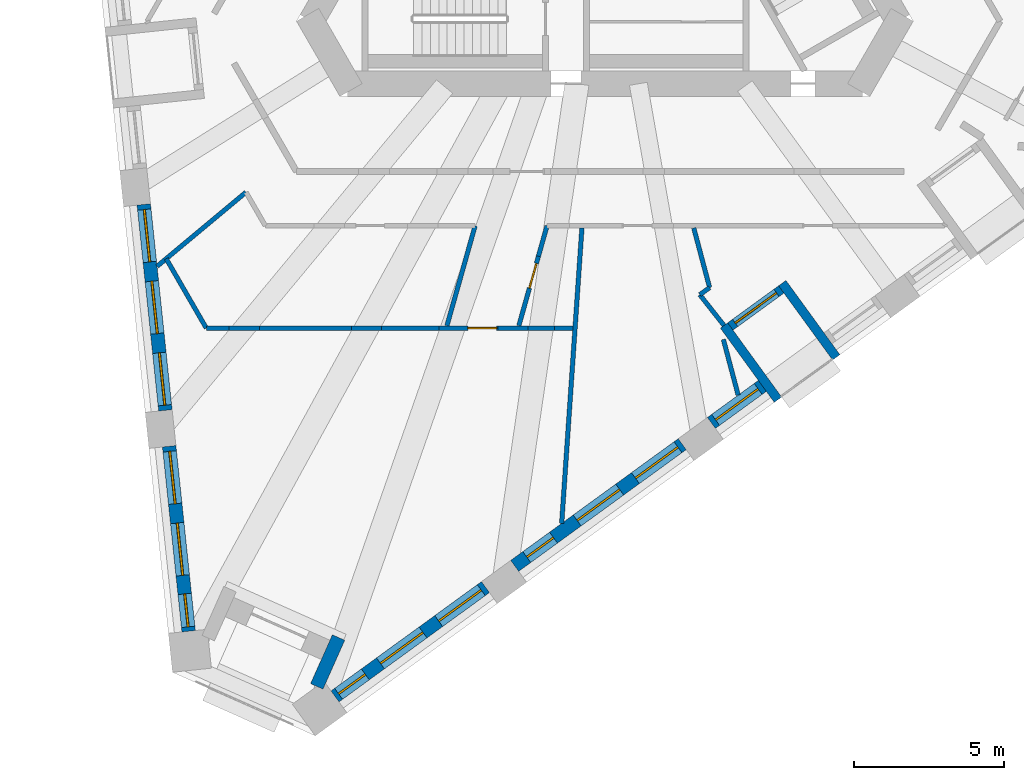
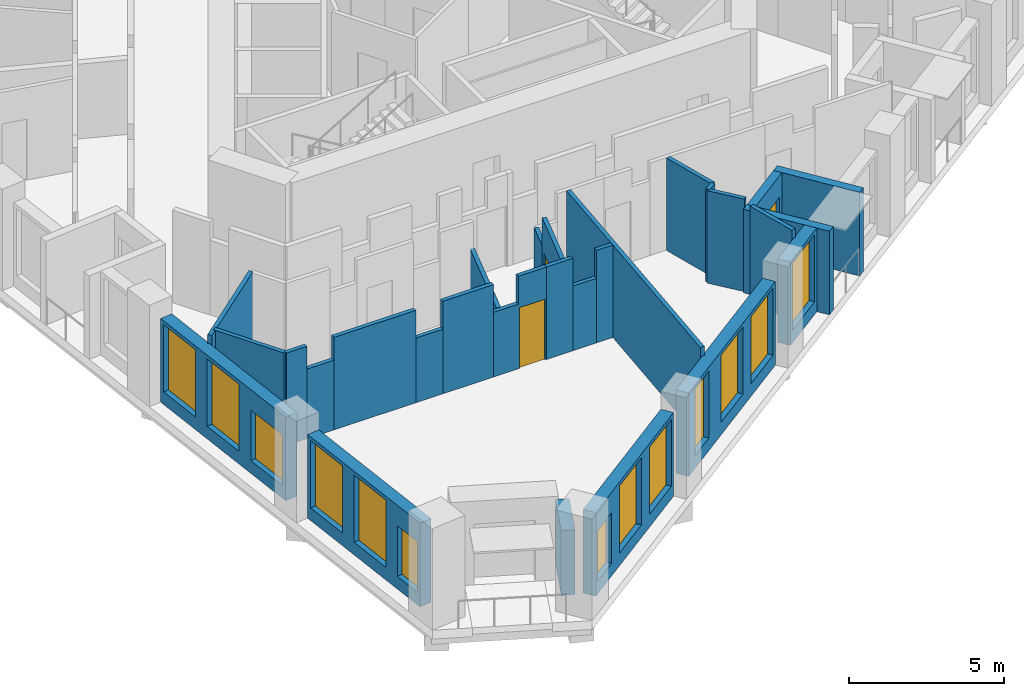
# One storey, part 2 of 14: 28 walls, 13 windows, 3 doors, 16 openings.
"""IFC4 building model written with IfcOpenShell, lengths in metres."""

import ifcopenshell
import ifcopenshell.guid

model = None  # the IFC model being written
_history = None  # IfcOwnerHistory: only IFC2X3 demands one
_inside = {}  # id of a spatial element -> (the spatial element, [elements in it])
_under = {}  # id of a project, library or spatial element -> (it, [spatial elements below it])
_declared = {}  # id of a project -> (the project, [libraries it declares])
_typed = {}  # id of a type object -> (the type object, [elements of that type])
_made_of = {}  # id of a material, layer set ... -> (it, [elements and type objects made of it])


def new_model(schema):
    """Start an empty IFC model of exactly this schema.

    Asked for "IFC4X3", IfcOpenShell would pick the latest addendum, in which some entities
    have other attributes; the version numbers below select the first issue.
    IFC2X3 requires an IfcOwnerHistory on every rooted entity: one is made here for all.
    """
    global model, _history
    if schema == "IFC4X3":
        model = ifcopenshell.file(schema_version=(4, 3, 0, 0))
    else:
        model = ifcopenshell.file(schema=schema)
    _inside.clear()
    _under.clear()
    _declared.clear()
    _typed.clear()
    _made_of.clear()
    _history = None
    if model.schema == "IFC2X3":
        org = make("IfcOrganization", Name="unknown")
        user = make(
            "IfcPersonAndOrganization",
            ThePerson=make("IfcPerson", FamilyName="unknown"),
            TheOrganization=org,
        )
        app = make(
            "IfcApplication",
            ApplicationDeveloper=org,
            Version="unknown",
            ApplicationFullName="unknown",
            ApplicationIdentifier="unknown",
        )
        _history = make(
            "IfcOwnerHistory",
            OwningUser=user,
            OwningApplication=app,
            ChangeAction="ADDED",
            CreationDate=0,
        )
    return model


def make(cls, **values):
    """One entity of the class cls with the attributes given. An attribute that is None is left unset."""
    return model.create_entity(
        cls, **{name: value for name, value in values.items() if value is not None}
    )


def rooted(cls, **values):
    """An entity with a GlobalId (a new one), such as an element, a storey or a relation."""
    return make(cls, GlobalId=ifcopenshell.guid.new(), OwnerHistory=_history, **values)


def si_unit(unit_type, name, prefix=None):
    """IfcSIUnit, for example si_unit("LENGTHUNIT", "METRE", prefix="MILLI")."""
    return make("IfcSIUnit", UnitType=unit_type, Prefix=prefix, Name=name)


def assignment(units):
    """IfcUnitAssignment: the units of a project."""
    return None if units is None else make("IfcUnitAssignment", Units=units)


def point(xyz):
    """IfcCartesianPoint."""
    return None if xyz is None else make("IfcCartesianPoint", Coordinates=xyz)


def direction(xyz):
    """IfcDirection."""
    return None if xyz is None else make("IfcDirection", DirectionRatios=xyz)


def frame(location, z_axis=None, x_axis=None):
    """IfcAxis2Placement3D, a coordinate frame: its origin and axes. An axis left out is left unset."""
    return make(
        "IfcAxis2Placement3D",
        Location=point(location),
        Axis=direction(z_axis),
        RefDirection=direction(x_axis),
    )


def frame_2d(location, x_axis=None):
    """IfcAxis2Placement2D, a coordinate frame in the plane: its origin and x axis."""
    return make(
        "IfcAxis2Placement2D", Location=point(location), RefDirection=direction(x_axis)
    )


def origin():
    """The frame at (0, 0, 0) with its axes left unset."""
    return frame((0.0, 0.0, 0.0))


def place(relative_to, where):
    """IfcLocalPlacement: puts the frame where relative to a parent placement (None: the world)."""
    return make(
        "IfcLocalPlacement", PlacementRelTo=relative_to, RelativePlacement=where
    )


def context(
    kind, dimensions, precision=None, world=None, true_north=None, identifier=None
):
    """IfcGeometricRepresentationContext, for example the 3D "Model" context."""
    return make(
        "IfcGeometricRepresentationContext",
        ContextIdentifier=identifier,
        ContextType=kind,
        CoordinateSpaceDimension=dimensions,
        Precision=precision,
        WorldCoordinateSystem=world,
        TrueNorth=true_north,
    )


def subcontext(parent, identifier, kind, view, scale=None):
    """IfcGeometricRepresentationSubContext, for example "Body" below "Model"."""
    return make(
        "IfcGeometricRepresentationSubContext",
        ContextIdentifier=identifier,
        ContextType=kind,
        ParentContext=parent,
        TargetScale=scale,
        TargetView=view,
    )


def project(units=None, contexts=None):
    """IfcProject with its units and contexts."""
    return rooted(
        "IfcProject",
        Name="project",
        RepresentationContexts=contexts,
        UnitsInContext=assignment(units),
    )


def spatial(cls, under=None, at=None, **own):
    """A site, building, storey or space (cls), placed at a placement, below another one or the project."""
    s = rooted(cls, ObjectPlacement=at, **own)
    if under is not None:
        _under.setdefault(under.id(), (under, []))[1].append(s)
    return s


def polyline(points):
    """IfcPolyline through the points."""
    return make("IfcPolyline", Points=[point(p) for p in points])


def profile(cls, at=None, kind="AREA", **sizes):
    """A parametric profile (cls). Its sizes go by their IFC names, for example OverallWidth=200.0."""
    return make(cls, ProfileType=kind, Position=at, **sizes)


def rectangle(**sizes):
    """IfcRectangleProfileDef."""
    return profile("IfcRectangleProfileDef", **sizes)


def outline(outer, holes=None, kind="AREA"):
    """IfcArbitraryClosedProfileDef: a profile drawn as a closed curve; with holes, ...WithVoids."""
    if holes is None:
        return make("IfcArbitraryClosedProfileDef", ProfileType=kind, OuterCurve=outer)
    return make(
        "IfcArbitraryProfileDefWithVoids",
        ProfileType=kind,
        OuterCurve=outer,
        InnerCurves=holes,
    )


def extrude(swept, where, along, depth):
    """IfcExtrudedAreaSolid: the profile swept, set in the frame where, extruded along a direction by depth."""
    return make(
        "IfcExtrudedAreaSolid",
        SweptArea=swept,
        Position=where,
        ExtrudedDirection=direction(along),
        Depth=depth,
    )


def shape(context_of_items, identifier, shape_type, items):
    """IfcShapeRepresentation: the items that make up one representation, for example the "Body"."""
    return make(
        "IfcShapeRepresentation",
        ContextOfItems=context_of_items,
        RepresentationIdentifier=identifier,
        RepresentationType=shape_type,
        Items=items,
    )


def material(Name=None, Category=None):
    """IfcMaterial."""
    return make("IfcMaterial", Name=Name, Category=Category)


def layer(
    of_material, thickness, ventilated=None, Name=None, Category=None, Priority=None
):
    """IfcMaterialLayer: one layer of a wall or slab, of a material (None: an air gap)."""
    return make(
        "IfcMaterialLayer",
        Material=of_material,
        LayerThickness=thickness,
        IsVentilated=ventilated,
        Name=Name,
        Category=Category,
        Priority=Priority,
    )


def layer_set(layers, Name=None):
    """IfcMaterialLayerSet."""
    return make("IfcMaterialLayerSet", MaterialLayers=layers, LayerSetName=Name)


def made_of(thing, what):
    """Note that an element or type object is made of a material, layer set ...; save() writes the relation."""
    if what is not None:
        _made_of.setdefault(what.id(), (what, []))[1].append(thing)
    return thing


def type_object(cls, material=None, **own):
    """A type object (cls), such as IfcWallType, which elements share."""
    return made_of(rooted(cls, **own), material)


def element(
    cls,
    number,
    at=None,
    inside=None,
    cuts=None,
    type_object=None,
    material=None,
    context=None,
    identifier="Body",
    shape_type=None,
    held_by="IfcProductDefinitionShape",
    body=None,
    shapes=None,
    **own,
):
    """One element of the class cls, such as IfcWall. Its Tag is "e" and its number.

    at: its placement. inside: the storey or other place that contains it. cuts: it is an
    opening in that element (IfcRelVoidsElement). A single representation is given by context,
    identifier, shape_type and body (its items); several are given by shapes. held_by: the class
    of the entity that holds the representations. save() writes the other relations.
    """
    e = rooted(cls, Tag="e%d" % number, ObjectPlacement=at, **own)
    if body is not None:
        shapes = [shape(context, identifier, shape_type, body)]
    if shapes is not None:
        e.Representation = make(held_by, Representations=shapes)
    if inside is not None:
        _inside.setdefault(inside.id(), (inside, []))[1].append(e)
    if cuts is not None:
        rooted(
            "IfcRelVoidsElement", RelatingBuildingElement=cuts, RelatedOpeningElement=e
        )
    if type_object is not None:
        _typed.setdefault(type_object.id(), (type_object, []))[1].append(e)
    return made_of(e, material)


def fill(opening, filler):
    """IfcRelFillsElement: the door or window that sits in an opening."""
    return rooted(
        "IfcRelFillsElement",
        RelatingOpeningElement=opening,
        RelatedBuildingElement=filler,
    )


def aggregate(whole, parts):
    """IfcRelAggregates: a whole, such as a stair, and the parts it consists of."""
    return rooted("IfcRelAggregates", RelatingObject=whole, RelatedObjects=parts)


def save(model, path):
    """Write the relations noted so far, then the file.

    IfcRelAggregates (storeys below a building ...), IfcRelContainedInSpatialStructure (elements
    in a storey), IfcRelDefinesByType, IfcRelAssociatesMaterial and IfcRelDeclares: one each for
    every whole, place, type object, material and project.
    """
    for whole, parts in _under.values():
        aggregate(whole, parts)
    for where, things in _inside.values():
        rooted(
            "IfcRelContainedInSpatialStructure",
            RelatedElements=things,
            RelatingStructure=where,
        )
    for kind, things in _typed.values():
        rooted("IfcRelDefinesByType", RelatedObjects=things, RelatingType=kind)
    for what, things in _made_of.values():
        rooted("IfcRelAssociatesMaterial", RelatedObjects=things, RelatingMaterial=what)
    for by, libraries in _declared.values():
        rooted("IfcRelDeclares", RelatingContext=by, RelatedDefinitions=libraries)
    model.write(path)


model = new_model("IFC4")

# Units and contexts
model_context = context("Model", 3, precision=1e-05, world=origin(), true_north=direction((0.0, 1.0)))
body_context = subcontext(model_context, "Body", "Model", "MODEL_VIEW")
ifc_project = project(units=[si_unit("LENGTHUNIT", "METRE"), si_unit("AREAUNIT", "SQUARE_METRE"), si_unit("VOLUMEUNIT", "CUBIC_METRE"), si_unit("PLANEANGLEUNIT", "RADIAN"), si_unit("MASSUNIT", "GRAM", prefix="KILO")], contexts=[model_context])

# Site, building, storey
site_placement = place(None, origin())
site = spatial("IfcSite", under=ifc_project, at=site_placement, CompositionType="ELEMENT")
building_placement = place(site_placement, origin())
building = spatial("IfcBuilding", under=site, at=building_placement, Name="Tramontana Tower", CompositionType="ELEMENT")
storey_placement = place(building_placement, frame((0.0, 0.0, 190.800048828125)))
storey = spatial("IfcBuildingStorey", under=building, at=storey_placement, Name="L44", CompositionType="ELEMENT", Elevation=190.800048828125)

# Wall, openings, windows
ifc_material_1 = material(Name="Precast concrete 60 MPa", Category="concrete")
ifc_layer_1 = layer(ifc_material_1, 0.449951171875)
ifc_layer_set_1 = layer_set([ifc_layer_1], Name="Precast concrete 60 MPa, 450 mm")
wall_type_1 = type_object("IfcWallType", Name="EW1 Stone-faced precast wall 450", PredefinedType="SOLIDWALL", material=ifc_layer_set_1)
wall_1_placement = place(storey_placement, frame((-15.327880859375, -10.341796875, 0.0), z_axis=(0.0, 0.0, 1.0), x_axis=(0.104531531326, -0.994521572898, 0.0)))
wall_1 = element("IfcWall", 1, at=wall_1_placement, inside=storey, type_object=wall_type_1, Name="External wall L44 face 0 bay 5", PredefinedType="SOLIDWALL", context=body_context, shape_type="SweptSolid", body=[
    extrude(rectangle(XDim=6.8828125, YDim=0.449951171875, at=frame_2d((3.44140625, 0.0))), origin(), (0.0, 0.0, 1.0), 3.300048828125),
])
opening_1_placement = place(wall_1_placement, frame((0.172119140625, 0.0, 0.5)))
opening_1 = element("IfcOpeningElement", 2, at=opening_1_placement, cuts=wall_1, Name="Opening M2", PredefinedType="OPENING", context=body_context, shape_type="SweptSolid", body=[
    extrude(rectangle(XDim=1.75, YDim=2.64990234375, at=frame_2d((0.875, 1.324951171875))), frame((0.0, 0.23486328125, 0.0), z_axis=(0.0, -1.0, 0.0), x_axis=(1.0, 0.0, 0.0)), (0.0, 0.0, 1.0), 0.469970703125),
])
opening_2_placement = place(wall_1_placement, frame((2.56640625, 0.0, 0.5)))
opening_2 = element("IfcOpeningElement", 3, at=opening_2_placement, cuts=wall_1, Name="Opening M2", PredefinedType="OPENING", context=body_context, shape_type="SweptSolid", body=[
    extrude(rectangle(XDim=1.75, YDim=2.64990234375, at=frame_2d((0.875, 1.324951171875))), frame((0.0, 0.23486328125, 0.0), z_axis=(0.0, -1.0, 0.0), x_axis=(1.0, 0.0, 0.0)), (0.0, 0.0, 1.0), 0.469970703125),
])
opening_3_placement = place(wall_1_placement, frame((4.960693359375, 0.0, 0.5)))
opening_3 = element("IfcOpeningElement", 4, at=opening_3_placement, cuts=wall_1, Name="Opening M2L", PredefinedType="OPENING", context=body_context, shape_type="SweptSolid", body=[
    extrude(rectangle(XDim=1.75, YDim=2.0, at=frame_2d((0.875, 1.0))), frame((0.0, 0.23486328125, 0.0), z_axis=(0.0, -1.0, 0.0), x_axis=(1.0, 0.0, 0.0)), (0.0, 0.0, 1.0), 0.469970703125),
])
ifc_material_2 = material(Name="Aluminum frame, double glazing unit", Category="aluminium")
window_type_1 = type_object("IfcWindowType", Name="M2 Window 1.75 x 2.65", PartitioningType="SINGLE_PANEL", PredefinedType="WINDOW", material=ifc_material_2)
window_1_placement = place(opening_1_placement, origin())
window_1 = element("IfcWindow", 5, at=window_1_placement, inside=storey, type_object=window_type_1, Name="Window M2 L44 face 0 module 13", OverallHeight=2.64990234375, OverallWidth=1.75, PartitioningType="SINGLE_PANEL", PredefinedType="WINDOW", context=body_context, shape_type="SweptSolid", body=[
    extrude(rectangle(XDim=1.75, YDim=2.64990234375, at=frame_2d((0.875, 1.324951171875))), frame((0.0, 0.030029296875, 0.0), z_axis=(0.0, -1.0, 0.0), x_axis=(1.0, 0.0, 0.0)), (0.0, 0.0, 1.0), 0.06005859375),
])
fill(opening_1, window_1)
window_2_placement = place(opening_2_placement, origin())
window_2 = element("IfcWindow", 6, at=window_2_placement, inside=storey, type_object=window_type_1, Name="Window M2 L44 face 0 module 14", OverallHeight=2.64990234375, OverallWidth=1.75, PartitioningType="SINGLE_PANEL", PredefinedType="WINDOW", context=body_context, shape_type="SweptSolid", body=[
    extrude(rectangle(XDim=1.75, YDim=2.64990234375, at=frame_2d((0.875, 1.324951171875))), frame((0.0, 0.030029296875, 0.0), z_axis=(0.0, -1.0, 0.0), x_axis=(1.0, 0.0, 0.0)), (0.0, 0.0, 1.0), 0.06005859375),
])
fill(opening_2, window_2)
ifc_material_3 = material(Name="Aluminum frame, double glazing unit", Category="aluminium")
window_type_2 = type_object("IfcWindowType", Name="M2L Window 1.75 x 2", PartitioningType="SINGLE_PANEL", PredefinedType="WINDOW", material=ifc_material_3)
window_3_placement = place(opening_3_placement, origin())
window_3 = element("IfcWindow", 7, at=window_3_placement, inside=storey, type_object=window_type_2, Name="Window M2L L44 face 0 module 15", OverallHeight=2.0, OverallWidth=1.75, PartitioningType="SINGLE_PANEL", PredefinedType="WINDOW", context=body_context, shape_type="SweptSolid", body=[
    extrude(rectangle(XDim=1.75, YDim=2.0, at=frame_2d((0.875, 1.0))), frame((0.0, 0.030029296875, 0.0), z_axis=(0.0, -1.0, 0.0), x_axis=(1.0, 0.0, 0.0)), (0.0, 0.0, 1.0), 0.06005859375),
])
fill(opening_3, window_3)

wall_2_placement = place(storey_placement, frame((-14.483154296875, -18.38037109375, 0.0), z_axis=(0.0, 0.0, 1.0), x_axis=(0.104557348575, -0.994518858976, 0.0)))
wall_2 = element("IfcWall", 8, at=wall_2_placement, inside=storey, type_object=wall_type_1, Name="External wall L44 face 0 bay 6", PredefinedType="SOLIDWALL", context=body_context, shape_type="SweptSolid", body=[
    extrude(rectangle(XDim=6.18310546875, YDim=0.449951171875, at=frame_2d((3.091552734375, 0.0))), origin(), (0.0, 0.0, 1.0), 3.300048828125),
])
opening_4_placement = place(wall_2_placement, frame((0.172119140625, 0.0, 0.5)))
opening_4 = element("IfcOpeningElement", 9, at=opening_4_placement, cuts=wall_2, Name="Opening M2", PredefinedType="OPENING", context=body_context, shape_type="SweptSolid", body=[
    extrude(rectangle(XDim=1.75, YDim=2.64990234375, at=frame_2d((0.875, 1.324951171875))), frame((0.0, 0.23486328125, 0.0), z_axis=(0.0, -1.0, 0.0), x_axis=(1.0, 0.0, 0.0)), (0.0, 0.0, 1.0), 0.469970703125),
])
opening_5_placement = place(wall_2_placement, frame((2.56640625, 0.0, 0.5)))
opening_5 = element("IfcOpeningElement", 10, at=opening_5_placement, cuts=wall_2, Name="Opening M2", PredefinedType="OPENING", context=body_context, shape_type="SweptSolid", body=[
    extrude(rectangle(XDim=1.75, YDim=2.64990234375, at=frame_2d((0.875, 1.324951171875))), frame((0.0, 0.23486328125, 0.0), z_axis=(0.0, -1.0, 0.0), x_axis=(1.0, 0.0, 0.0)), (0.0, 0.0, 1.0), 0.469970703125),
])
opening_6_placement = place(wall_2_placement, frame((4.935791015625, 0.0, 0.5)))
opening_6 = element("IfcOpeningElement", 11, at=opening_6_placement, cuts=wall_2, Name="Opening N2L", PredefinedType="OPENING", context=body_context, shape_type="SweptSolid", body=[
    extrude(rectangle(XDim=1.10009765625, YDim=2.0, at=frame_2d((0.550048828125, 1.0))), frame((0.0, 0.23486328125, 0.0), z_axis=(0.0, -1.0, 0.0), x_axis=(1.0, 0.0, 0.0)), (0.0, 0.0, 1.0), 0.469970703125),
])
window_4_placement = place(opening_4_placement, origin())
window_4 = element("IfcWindow", 12, at=window_4_placement, inside=storey, type_object=window_type_1, Name="Window M2 L44 face 0 module 16", OverallHeight=2.64990234375, OverallWidth=1.75, PartitioningType="SINGLE_PANEL", PredefinedType="WINDOW", context=body_context, shape_type="SweptSolid", body=[
    extrude(rectangle(XDim=1.75, YDim=2.64990234375, at=frame_2d((0.875, 1.324951171875))), frame((0.0, 0.030029296875, 0.0), z_axis=(0.0, -1.0, 0.0), x_axis=(1.0, 0.0, 0.0)), (0.0, 0.0, 1.0), 0.06005859375),
])
fill(opening_4, window_4)
window_5_placement = place(opening_5_placement, origin())
window_5 = element("IfcWindow", 13, at=window_5_placement, inside=storey, type_object=window_type_1, Name="Window M2 L44 face 0 module 17", OverallHeight=2.64990234375, OverallWidth=1.75, PartitioningType="SINGLE_PANEL", PredefinedType="WINDOW", context=body_context, shape_type="SweptSolid", body=[
    extrude(rectangle(XDim=1.75, YDim=2.64990234375, at=frame_2d((0.875, 1.324951171875))), frame((0.0, 0.030029296875, 0.0), z_axis=(0.0, -1.0, 0.0), x_axis=(1.0, 0.0, 0.0)), (0.0, 0.0, 1.0), 0.06005859375),
])
fill(opening_5, window_5)
ifc_material_4 = material(Name="Aluminum frame, double glazing unit", Category="aluminium")
window_type_3 = type_object("IfcWindowType", Name="N2L Window 1.1 x 2", PartitioningType="SINGLE_PANEL", PredefinedType="WINDOW", material=ifc_material_4)
window_6_placement = place(opening_6_placement, origin())
window_6 = element("IfcWindow", 14, at=window_6_placement, inside=storey, type_object=window_type_3, Name="Window N2L L44 face 0 module 18", OverallHeight=2.0, OverallWidth=1.10009765625, PartitioningType="SINGLE_PANEL", PredefinedType="WINDOW", context=body_context, shape_type="SweptSolid", body=[
    extrude(rectangle(XDim=1.10009765625, YDim=2.0, at=frame_2d((0.550048828125, 1.0))), frame((0.0, 0.030029296875, 0.0), z_axis=(0.0, -1.0, 0.0), x_axis=(1.0, 0.0, 0.0)), (0.0, 0.0, 1.0), 0.06005859375),
])
fill(opening_6, window_6)

wall_3_placement = place(storey_placement, frame((-8.97021484375, -26.696044921875, 0.0), z_axis=(0.0, 0.0, 1.0), x_axis=(0.809024567544, 0.587774828578, 0.0)))
wall_3 = element("IfcWall", 15, at=wall_3_placement, inside=storey, type_object=wall_type_1, Name="External wall L44 face 1 bay 1", PredefinedType="SOLIDWALL", context=body_context, shape_type="SweptSolid", body=[
    extrude(rectangle(XDim=6.1826171875, YDim=0.449951171875, at=frame_2d((3.09130859375, 0.0))), origin(), (0.0, 0.0, 1.0), 3.300048828125),
])
opening_7_placement = place(wall_3_placement, frame((0.147216796875, 0.0, 0.5)))
opening_7 = element("IfcOpeningElement", 16, at=opening_7_placement, cuts=wall_3, Name="Opening N2L", PredefinedType="OPENING", context=body_context, shape_type="SweptSolid", body=[
    extrude(rectangle(XDim=1.10009765625, YDim=2.0, at=frame_2d((0.550048828125, 1.0))), frame((0.0, 0.23486328125, 0.0), z_axis=(0.0, -1.0, 0.0), x_axis=(1.0, 0.0, 0.0)), (0.0, 0.0, 1.0), 0.469970703125),
])
opening_8_placement = place(wall_3_placement, frame((1.866455078125, 0.0, 0.5)))
opening_8 = element("IfcOpeningElement", 17, at=opening_8_placement, cuts=wall_3, Name="Opening M2", PredefinedType="OPENING", context=body_context, shape_type="SweptSolid", body=[
    extrude(rectangle(XDim=1.75, YDim=2.64990234375, at=frame_2d((0.875, 1.324951171875))), frame((0.0, 0.23486328125, 0.0), z_axis=(0.0, -1.0, 0.0), x_axis=(1.0, 0.0, 0.0)), (0.0, 0.0, 1.0), 0.469970703125),
])
opening_9_placement = place(wall_3_placement, frame((4.2607421875, 0.0, 0.5)))
opening_9 = element("IfcOpeningElement", 18, at=opening_9_placement, cuts=wall_3, Name="Opening M2", PredefinedType="OPENING", context=body_context, shape_type="SweptSolid", body=[
    extrude(rectangle(XDim=1.75, YDim=2.64990234375, at=frame_2d((0.875, 1.324951171875))), frame((0.0, 0.23486328125, 0.0), z_axis=(0.0, -1.0, 0.0), x_axis=(1.0, 0.0, 0.0)), (0.0, 0.0, 1.0), 0.469970703125),
])
window_7_placement = place(opening_8_placement, origin())
window_7 = element("IfcWindow", 19, at=window_7_placement, inside=storey, type_object=window_type_1, Name="Window M2 L44 face 1 module 2", OverallHeight=2.64990234375, OverallWidth=1.75, PartitioningType="SINGLE_PANEL", PredefinedType="WINDOW", context=body_context, shape_type="SweptSolid", body=[
    extrude(rectangle(XDim=1.75, YDim=2.64990234375, at=frame_2d((0.875, 1.324951171875))), frame((0.0, 0.030029296875, 0.0), z_axis=(0.0, -1.0, 0.0), x_axis=(1.0, 0.0, 0.0)), (0.0, 0.0, 1.0), 0.06005859375),
])
fill(opening_8, window_7)
window_8_placement = place(opening_9_placement, origin())
window_8 = element("IfcWindow", 20, at=window_8_placement, inside=storey, type_object=window_type_1, Name="Window M2 L44 face 1 module 3", OverallHeight=2.64990234375, OverallWidth=1.75, PartitioningType="SINGLE_PANEL", PredefinedType="WINDOW", context=body_context, shape_type="SweptSolid", body=[
    extrude(rectangle(XDim=1.75, YDim=2.64990234375, at=frame_2d((0.875, 1.324951171875))), frame((0.0, 0.030029296875, 0.0), z_axis=(0.0, -1.0, 0.0), x_axis=(1.0, 0.0, 0.0)), (0.0, 0.0, 1.0), 0.06005859375),
])
fill(opening_9, window_8)
window_9_placement = place(opening_7_placement, origin())
window_9 = element("IfcWindow", 21, at=window_9_placement, inside=storey, type_object=window_type_3, Name="Window N2L L44 face 1 module 1", OverallHeight=2.0, OverallWidth=1.10009765625, PartitioningType="SINGLE_PANEL", PredefinedType="WINDOW", context=body_context, shape_type="SweptSolid", body=[
    extrude(rectangle(XDim=1.10009765625, YDim=2.0, at=frame_2d((0.550048828125, 1.0))), frame((0.0, 0.030029296875, 0.0), z_axis=(0.0, -1.0, 0.0), x_axis=(1.0, 0.0, 0.0)), (0.0, 0.0, 1.0), 0.06005859375),
])
fill(opening_7, window_9)

wall_4_placement = place(storey_placement, frame((-2.997314453125, -22.3564453125, 0.0), z_axis=(0.0, 0.0, 1.0), x_axis=(0.809016690404, 0.587785670672, 0.0)))
wall_4 = element("IfcWall", 22, at=wall_4_placement, inside=storey, type_object=wall_type_1, Name="External wall L44 face 1 bay 2", PredefinedType="SOLIDWALL", context=body_context, shape_type="SweptSolid", body=[
    extrude(rectangle(XDim=6.8828125, YDim=0.449951171875, at=frame_2d((3.44140625, 0.0))), origin(), (0.0, 0.0, 1.0), 3.300048828125),
])
opening_10_placement = place(wall_4_placement, frame((0.4970703125, 0.0, 0.5)))
opening_10 = element("IfcOpeningElement", 23, at=opening_10_placement, cuts=wall_4, Name="Opening N2", PredefinedType="OPENING", context=body_context, shape_type="SweptSolid", body=[
    extrude(rectangle(XDim=1.10009765625, YDim=2.64990234375, at=frame_2d((0.550048828125, 1.324951171875))), frame((0.0, 0.23486328125, 0.0), z_axis=(0.0, -1.0, 0.0), x_axis=(1.0, 0.0, 0.0)), (0.0, 0.0, 1.0), 0.469970703125),
])
opening_11_placement = place(wall_4_placement, frame((2.56640625, 0.0, 0.5)))
opening_11 = element("IfcOpeningElement", 24, at=opening_11_placement, cuts=wall_4, Name="Opening M2", PredefinedType="OPENING", context=body_context, shape_type="SweptSolid", body=[
    extrude(rectangle(XDim=1.75, YDim=2.64990234375, at=frame_2d((0.875, 1.324951171875))), frame((0.0, 0.23486328125, 0.0), z_axis=(0.0, -1.0, 0.0), x_axis=(1.0, 0.0, 0.0)), (0.0, 0.0, 1.0), 0.469970703125),
])
opening_12_placement = place(wall_4_placement, frame((4.960693359375, 0.0, 0.5)))
opening_12 = element("IfcOpeningElement", 25, at=opening_12_placement, cuts=wall_4, Name="Opening M2", PredefinedType="OPENING", context=body_context, shape_type="SweptSolid", body=[
    extrude(rectangle(XDim=1.75, YDim=2.64990234375, at=frame_2d((0.875, 1.324951171875))), frame((0.0, 0.23486328125, 0.0), z_axis=(0.0, -1.0, 0.0), x_axis=(1.0, 0.0, 0.0)), (0.0, 0.0, 1.0), 0.469970703125),
])
window_10_placement = place(opening_11_placement, origin())
window_10 = element("IfcWindow", 26, at=window_10_placement, inside=storey, type_object=window_type_1, Name="Window M2 L44 face 1 module 5", OverallHeight=2.64990234375, OverallWidth=1.75, PartitioningType="SINGLE_PANEL", PredefinedType="WINDOW", context=body_context, shape_type="SweptSolid", body=[
    extrude(rectangle(XDim=1.75, YDim=2.64990234375, at=frame_2d((0.875, 1.324951171875))), frame((0.0, 0.030029296875, 0.0), z_axis=(0.0, -1.0, 0.0), x_axis=(1.0, 0.0, 0.0)), (0.0, 0.0, 1.0), 0.06005859375),
])
fill(opening_11, window_10)
window_11_placement = place(opening_12_placement, origin())
window_11 = element("IfcWindow", 27, at=window_11_placement, inside=storey, type_object=window_type_1, Name="Window M2 L44 face 1 module 6", OverallHeight=2.64990234375, OverallWidth=1.75, PartitioningType="SINGLE_PANEL", PredefinedType="WINDOW", context=body_context, shape_type="SweptSolid", body=[
    extrude(rectangle(XDim=1.75, YDim=2.64990234375, at=frame_2d((0.875, 1.324951171875))), frame((0.0, 0.030029296875, 0.0), z_axis=(0.0, -1.0, 0.0), x_axis=(1.0, 0.0, 0.0)), (0.0, 0.0, 1.0), 0.06005859375),
])
fill(opening_12, window_11)
ifc_material_5 = material(Name="Aluminum frame, double glazing unit", Category="aluminium")
window_type_4 = type_object("IfcWindowType", Name="N2 Window 1.1 x 2.65", PartitioningType="SINGLE_PANEL", PredefinedType="WINDOW", material=ifc_material_5)
window_12_placement = place(opening_10_placement, origin())
window_12 = element("IfcWindow", 28, at=window_12_placement, inside=storey, type_object=window_type_4, Name="Window N2 L44 face 1 module 4", OverallHeight=2.64990234375, OverallWidth=1.10009765625, PartitioningType="SINGLE_PANEL", PredefinedType="WINDOW", context=body_context, shape_type="SweptSolid", body=[
    extrude(rectangle(XDim=1.10009765625, YDim=2.64990234375, at=frame_2d((0.550048828125, 1.324951171875))), frame((0.0, 0.030029296875, 0.0), z_axis=(0.0, -1.0, 0.0), x_axis=(1.0, 0.0, 0.0)), (0.0, 0.0, 1.0), 0.06005859375),
])
fill(opening_10, window_12)

# Wall, opening, window
wall_5_placement = place(storey_placement, frame((3.541748046875, -17.60546875, 0.0), z_axis=(0.0, 0.0, 1.0), x_axis=(0.809028366311, 0.587769599847, 0.0)))
wall_5 = element("IfcWall", 29, at=wall_5_placement, inside=storey, type_object=wall_type_1, Name="External wall L44 face 1 bay 3", PredefinedType="SOLIDWALL", context=body_context, shape_type="SweptSolid", body=[
    extrude(rectangle(XDim=2.09423828125, YDim=0.449951171875, at=frame_2d((1.047119140625, 0.0))), origin(), (0.0, 0.0, 1.0), 3.300048828125),
])
opening_13_placement = place(wall_5_placement, frame((0.172119140625, 0.0, 0.5)))
opening_13 = element("IfcOpeningElement", 30, at=opening_13_placement, cuts=wall_5, Name="Opening M2", PredefinedType="OPENING", context=body_context, shape_type="SweptSolid", body=[
    extrude(rectangle(XDim=1.75, YDim=2.64990234375, at=frame_2d((0.875, 1.324951171875))), frame((0.0, 0.23486328125, 0.0), z_axis=(0.0, -1.0, 0.0), x_axis=(1.0, 0.0, 0.0)), (0.0, 0.0, 1.0), 0.469970703125),
])
window_13_placement = place(opening_13_placement, origin())
window_13 = element("IfcWindow", 31, at=window_13_placement, inside=storey, type_object=window_type_1, Name="Window M2 L44 face 1 module 7", OverallHeight=2.64990234375, OverallWidth=1.75, PartitioningType="SINGLE_PANEL", PredefinedType="WINDOW", context=body_context, shape_type="SweptSolid", body=[
    extrude(rectangle(XDim=1.75, YDim=2.64990234375, at=frame_2d((0.875, 1.324951171875))), frame((0.0, 0.030029296875, 0.0), z_axis=(0.0, -1.0, 0.0), x_axis=(1.0, 0.0, 0.0)), (0.0, 0.0, 1.0), 0.06005859375),
])
fill(opening_13, window_13)

# Wall
wall_6_placement = place(storey_placement, frame((-9.575927734375, -26.363525390625, 0.0), z_axis=(0.0, 0.0, 1.0), x_axis=(0.406749543613, 0.913539713844, 0.0)))
element("IfcWall", 32, at=wall_6_placement, inside=storey, type_object=wall_type_1, Name="Corner loggia side wall L44 K41l", PredefinedType="SOLIDWALL", context=body_context, shape_type="SweptSolid", body=[
    extrude(rectangle(XDim=1.779052734375, YDim=0.449951171875, at=frame_2d((0.8896484375, 0.0))), origin(), (0.0, 0.0, 1.0), 2.550048828125),
])

# Wall, opening, door
ifc_material_6 = material(Name="Precast concrete 60 MPa", Category="concrete")
ifc_layer_2 = layer(ifc_material_6, 0.300048828125)
ifc_layer_set_2 = layer_set([ifc_layer_2], Name="LW1 Stone-faced loggia wall 300")
wall_type_2 = type_object("IfcWallType", Name="LW1 Stone-faced loggia wall 300", PredefinedType="SOLIDWALL", material=ifc_layer_set_2)
wall_7_placement = place(storey_placement, frame((4.1708984375, -14.398193359375, 0.0), z_axis=(0.0, 0.0, 1.0), x_axis=(0.809028366311, 0.587769599847, 0.0)))
wall_7 = element("IfcWall", 33, at=wall_7_placement, inside=storey, type_object=wall_type_2, Name="Loggia wall L44 G4S1.7", PredefinedType="SOLIDWALL", context=body_context, shape_type="SweptSolid", body=[
    extrude(rectangle(XDim=2.09423828125, YDim=0.300048828125, at=frame_2d((1.047119140625, 0.0))), origin(), (0.0, 0.0, 1.0), 3.300048828125),
])
opening_14_placement = place(wall_7_placement, frame((0.197265625, 0.0, 0.0)))
opening_14 = element("IfcOpeningElement", 34, at=opening_14_placement, cuts=wall_7, Name="Opening BD-4S1-07", PredefinedType="OPENING", context=body_context, shape_type="SweptSolid", body=[
    extrude(rectangle(XDim=1.699951171875, YDim=2.449951171875, at=frame_2d((0.85009765625, 1.22509765625))), frame((0.0, 0.159912109375, 0.0), z_axis=(0.0, -1.0, 0.0), x_axis=(1.0, 0.0, 0.0)), (0.0, 0.0, 1.0), 0.320068359375),
])
ifc_material_7 = material(Name="Aluminum frame, double glazing unit", Category="aluminium")
door_type_1 = type_object("IfcDoorType", Name="BD2 Sliding door 1.7 x 2.45", OperationType="SLIDING_TO_LEFT", PredefinedType="DOOR", material=ifc_material_7)
door_1_placement = place(opening_14_placement, origin())
door_1 = element("IfcDoor", 35, at=door_1_placement, inside=storey, type_object=door_type_1, Name="Loggia door L44 G4S1.7", OperationType="SLIDING_TO_LEFT", OverallHeight=2.449951171875, OverallWidth=1.699951171875, PredefinedType="DOOR", context=body_context, shape_type="SweptSolid", body=[
    extrude(rectangle(XDim=1.699951171875, YDim=2.449951171875, at=frame_2d((0.85009765625, 1.22509765625))), frame((0.0, 0.02490234375, 0.0), z_axis=(0.0, -1.0, 0.0), x_axis=(1.0, 0.0, 0.0)), (0.0, 0.0, 1.0), 0.050048828125),
])
fill(opening_14, door_1)

# Walls
for number, where, z_axis, x_axis, name in (
    (36, (5.754150390625, -16.83251953125, 0.0), (0.0, 0.0, 1.0), (-0.587776590479, 0.80902328748, 0.0), "Loggia return L44 G4S1.7a"),
    (37, (7.691162109375, -15.425048828125, 0.0), (0.0, 0.0, 1.0), (-0.587776590479, 0.80902328748, 0.0), "Loggia return L44 G4S1.7b"),
):
    element("IfcWall", number, at=place(storey_placement, frame(where, z_axis=z_axis, x_axis=x_axis)), inside=storey, type_object=wall_type_2, Name=name, PredefinedType="SOLIDWALL", context=body_context, shape_type="SweptSolid", body=[
        extrude(rectangle(XDim=3.050048828125, YDim=0.300048828125, at=frame_2d((1.52490234375, 0.0))), origin(), (0.0, 0.0, 1.0), 3.300048828125),
    ])
ifc_material_8 = material(Name="Gypsum board partition")
ifc_layer_3 = layer(ifc_material_8, 0.14990234375)
ifc_layer_set_3 = layer_set([ifc_layer_3], Name="PARTITION 150")
wall_type_3 = type_object("IfcWallType", Name="PARTITION 150", PredefinedType="PARTITIONING", material=ifc_layer_set_3)
wall_8_placement = place(storey_placement, frame((-13.250244140625, -14.449951171875, 0.0), z_axis=(0.0, 0.0, 1.0), x_axis=(-0.500019109324, 0.86601437073, 0.0)))
element("IfcWall", 38, at=wall_8_placement, inside=storey, type_object=wall_type_3, Name="Wall v42-pw06", PredefinedType="PARTITIONING", context=body_context, shape_type="SweptSolid", body=[
    extrude(rectangle(XDim=2.65966796875, YDim=0.14990234375, at=frame_2d((1.329833984375, 0.0))), origin(), (0.0, 0.0, 1.0), 3.64990234375),
])
wall_9_placement = place(storey_placement, frame((-11.932861328125, -9.938720703125, 0.0), z_axis=(0.0, 0.0, 1.0), x_axis=(-0.768294174323, -0.640096915866, 0.0)))
element("IfcWall", 39, at=wall_9_placement, inside=storey, type_object=wall_type_3, Name="Wall v42-pw07", PredefinedType="PARTITIONING", context=body_context, shape_type="SweptSolid", body=[
    extrude(rectangle(XDim=3.843017578125, YDim=0.14990234375, at=frame_2d((1.92138671875, 0.0))), origin(), (0.0, 0.0, 1.0), 3.64990234375),
])
wall_10_placement = place(storey_placement, frame((-5.24951171875, -14.375, 0.0), z_axis=(0.0, 0.0, 1.0), x_axis=(0.271458484659, 0.962450149933, 0.0)))
element("IfcWall", 40, at=wall_10_placement, inside=storey, type_object=wall_type_3, Name="Wall v42-pw15-0", PredefinedType="PARTITIONING", context=body_context, shape_type="SweptSolid", body=[
    extrude(rectangle(XDim=3.450927734375, YDim=0.14990234375, at=frame_2d((1.7255859375, 0.0))), origin(), (0.0, 0.0, 1.0), 2.550048828125),
])
wall_11_placement = place(storey_placement, frame((-1.92236328125, -11.05224609375, 0.0), z_axis=(0.0, 0.0, 1.0), x_axis=(-0.271531823094, -0.962429461855, 0.0)))
element("IfcWall", 41, at=wall_11_placement, inside=storey, type_object=wall_type_3, Name="Wall v42-pw19-0", PredefinedType="PARTITIONING", context=body_context, shape_type="SweptSolid", body=[
    extrude(rectangle(XDim=1.052001953125, YDim=0.14990234375, at=frame_2d((0.52587890625, 0.0))), origin(), (0.0, 0.0, 1.0), 2.550048828125),
])

# Wall, opening, door
wall_12_placement = place(storey_placement, frame((-2.2080078125, -12.064697265625, 0.0), z_axis=(0.0, 0.0, 1.0), x_axis=(-0.271455333638, -0.962451038671, 0.0)))
wall_12 = element("IfcWall", 42, at=wall_12_placement, inside=storey, type_object=wall_type_3, Name="Wall v42-pw19-1", PredefinedType="PARTITIONING", context=body_context, shape_type="SweptSolid", body=[
    extrude(rectangle(XDim=2.400390625, YDim=0.14990234375, at=frame_2d((1.2001953125, 0.0))), origin(), (0.0, 0.0, 1.0), 3.64990234375),
])
opening_15_placement = place(wall_12_placement, frame((0.2490234375, 0.0, 0.0)))
opening_15 = element("IfcOpeningElement", 43, at=opening_15_placement, cuts=wall_12, Name="Opening B4C-06", PredefinedType="OPENING", context=body_context, shape_type="SweptSolid", body=[
    extrude(rectangle(XDim=0.85009765625, YDim=2.39990234375, at=frame_2d((0.425048828125, 1.199951171875))), frame((0.0, 0.0849609375, 0.0), z_axis=(0.0, -1.0, 0.0), x_axis=(1.0, 0.0, 0.0)), (0.0, 0.0, 1.0), 0.169921875),
])
ifc_material_9 = material(Name="Painted timber", Category="wood")
door_type_2 = type_object("IfcDoorType", Name="DOOR BATH 850", OperationType="SINGLE_SWING_LEFT", PredefinedType="DOOR", material=ifc_material_9)
door_2_placement = place(opening_15_placement, origin())
door_2 = element("IfcDoor", 44, at=door_2_placement, inside=storey, type_object=door_type_2, Name="Door B4C-06", OperationType="SINGLE_SWING_RIGHT", OverallHeight=2.39990234375, OverallWidth=0.85009765625, PredefinedType="DOOR", context=body_context, shape_type="SweptSolid", body=[
    extrude(rectangle(XDim=0.85009765625, YDim=2.39990234375, at=frame_2d((0.425048828125, 1.199951171875))), frame((0.0, 0.02490234375, 0.0), z_axis=(0.0, -1.0, 0.0), x_axis=(1.0, 0.0, 0.0)), (0.0, 0.0, 1.0), 0.050048828125),
])
fill(opening_15, door_2)

# Walls
wall_13_placement = place(storey_placement, frame((-1.0654296875, -14.449951171875, 0.0), z_axis=(0.0, 0.0, 1.0), x_axis=(-1.0, 0.0, 0.0)))
element("IfcWall", 45, at=wall_13_placement, inside=storey, type_object=wall_type_3, Name="Wall v42-pw20-0", PredefinedType="PARTITIONING", context=body_context, shape_type="SweptSolid", body=[
    extrude(rectangle(XDim=0.607421875, YDim=0.14990234375, at=frame_2d((0.3037109375, 0.0))), origin(), (0.0, 0.0, 1.0), 3.64990234375),
])
wall_14_placement = place(storey_placement, frame((-1.6728515625, -14.449951171875, 0.0), z_axis=(0.0, 0.0, 1.0), x_axis=(-1.0, 0.0, 0.0)))
element("IfcWall", 46, at=wall_14_placement, inside=storey, type_object=wall_type_3, Name="Wall v42-pw20-1", PredefinedType="PARTITIONING", context=body_context, shape_type="SweptSolid", body=[
    extrude(rectangle(XDim=0.88427734375, YDim=0.14990234375, at=frame_2d((0.442138671875, 0.0))), origin(), (0.0, 0.0, 1.0), 2.550048828125),
])
wall_15_placement = place(storey_placement, frame((-2.55712890625, -14.449951171875, 0.0), z_axis=(0.0, 0.0, 1.0), x_axis=(-1.0, 0.0, 0.0)))
element("IfcWall", 47, at=wall_15_placement, inside=storey, type_object=wall_type_3, Name="Wall v42-pw20-2", PredefinedType="PARTITIONING", context=body_context, shape_type="SweptSolid", body=[
    extrude(rectangle(XDim=0.9931640625, YDim=0.14990234375, at=frame_2d((0.49658203125, 0.0))), origin(), (0.0, 0.0, 1.0), 3.64990234375),
])

# Wall, opening, door
wall_16_placement = place(storey_placement, frame((-3.55029296875, -14.449951171875, 0.0), z_axis=(0.0, 0.0, 1.0), x_axis=(-1.0, 0.0, 0.0)))
wall_16 = element("IfcWall", 48, at=wall_16_placement, inside=storey, type_object=wall_type_3, Name="Wall v42-pw20-3", PredefinedType="PARTITIONING", context=body_context, shape_type="SweptSolid", body=[
    extrude(outline(polyline([(0.0, 0.0), (1.96923828125, 0.0), (1.96923828125, 2.550048828125), (1.042236328125, 2.550048828125), (1.042236328125, 3.64990234375), (0.0, 3.64990234375), (0.0, 0.0)])), frame((0.0, 0.074951171875, 0.0), z_axis=(0.0, -1.0, 0.0), x_axis=(1.0, 0.0, 0.0)), (0.0, 0.0, 1.0), 0.14990234375),
])
opening_16_placement = place(wall_16_placement, frame((0.050048828125, 0.0, 0.0)))
opening_16 = element("IfcOpeningElement", 49, at=opening_16_placement, cuts=wall_16, Name="Opening B4C-07", PredefinedType="OPENING", context=body_context, shape_type="SweptSolid", body=[
    extrude(rectangle(XDim=0.949951171875, YDim=2.39990234375, at=frame_2d((0.47509765625, 1.199951171875))), frame((0.0, 0.0849609375, 0.0), z_axis=(0.0, -1.0, 0.0), x_axis=(1.0, 0.0, 0.0)), (0.0, 0.0, 1.0), 0.169921875),
])
ifc_material_10 = material(Name="Painted timber", Category="wood")
door_type_3 = type_object("IfcDoorType", Name="DOOR ROOM 950", OperationType="SINGLE_SWING_LEFT", PredefinedType="DOOR", material=ifc_material_10)
door_3_placement = place(opening_16_placement, origin())
door_3 = element("IfcDoor", 50, at=door_3_placement, inside=storey, type_object=door_type_3, Name="Door B4C-07", OperationType="SINGLE_SWING_LEFT", OverallHeight=2.39990234375, OverallWidth=0.949951171875, PredefinedType="DOOR", context=body_context, shape_type="SweptSolid", body=[
    extrude(rectangle(XDim=0.949951171875, YDim=2.39990234375, at=frame_2d((0.47509765625, 1.199951171875))), frame((0.0, 0.02490234375, 0.0), z_axis=(0.0, -1.0, 0.0), x_axis=(1.0, 0.0, 0.0)), (0.0, 0.0, 1.0), 0.050048828125),
])
fill(opening_16, door_3)

# Walls
wall_17_placement = place(storey_placement, frame((-5.51953125, -14.449951171875, 0.0), z_axis=(0.0, 0.0, 1.0), x_axis=(-1.0, 0.0, 0.0)))
element("IfcWall", 51, at=wall_17_placement, inside=storey, type_object=wall_type_3, Name="Wall v42-pw20-4", PredefinedType="PARTITIONING", context=body_context, shape_type="SweptSolid", body=[
    extrude(rectangle(XDim=1.89794921875, YDim=0.14990234375, at=frame_2d((0.948974609375, 0.0))), origin(), (0.0, 0.0, 1.0), 3.64990234375),
])
wall_18_placement = place(storey_placement, frame((-7.41748046875, -14.449951171875, 0.0), z_axis=(0.0, 0.0, 1.0), x_axis=(-1.0, 0.0, 0.0)))
element("IfcWall", 52, at=wall_18_placement, inside=storey, type_object=wall_type_3, Name="Wall v42-pw20-5", PredefinedType="PARTITIONING", context=body_context, shape_type="SweptSolid", body=[
    extrude(rectangle(XDim=0.99755859375, YDim=0.14990234375, at=frame_2d((0.498779296875, 0.0))), origin(), (0.0, 0.0, 1.0), 2.550048828125),
])
wall_19_placement = place(storey_placement, frame((-8.4150390625, -14.449951171875, 0.0), z_axis=(0.0, 0.0, 1.0), x_axis=(-1.0, 0.0, 0.0)))
element("IfcWall", 53, at=wall_19_placement, inside=storey, type_object=wall_type_3, Name="Wall v42-pw20-6", PredefinedType="PARTITIONING", context=body_context, shape_type="SweptSolid", body=[
    extrude(rectangle(XDim=3.066650390625, YDim=0.14990234375, at=frame_2d((1.533203125, 0.0))), origin(), (0.0, 0.0, 1.0), 3.64990234375),
])
wall_20_placement = place(storey_placement, frame((-11.481689453125, -14.449951171875, 0.0), z_axis=(0.0, 0.0, 1.0), x_axis=(-1.0, 0.0, 0.0)))
element("IfcWall", 54, at=wall_20_placement, inside=storey, type_object=wall_type_3, Name="Wall v42-pw20-7", PredefinedType="PARTITIONING", context=body_context, shape_type="SweptSolid", body=[
    extrude(rectangle(XDim=1.0068359375, YDim=0.14990234375, at=frame_2d((0.50341796875, 0.0))), origin(), (0.0, 0.0, 1.0), 2.75),
])
wall_21_placement = place(storey_placement, frame((-12.488525390625, -14.449951171875, 0.0), z_axis=(0.0, 0.0, 1.0), x_axis=(-1.0, 0.0, 0.0)))
element("IfcWall", 55, at=wall_21_placement, inside=storey, type_object=wall_type_3, Name="Wall v42-pw20-8", PredefinedType="PARTITIONING", context=body_context, shape_type="SweptSolid", body=[
    extrude(rectangle(XDim=0.76171875, YDim=0.14990234375, at=frame_2d((0.380859375, 0.0))), origin(), (0.0, 0.0, 1.0), 3.64990234375),
])
wall_22_placement = place(storey_placement, frame((-0.762451171875, -11.125, 0.0), z_axis=(0.0, 0.0, 1.0), x_axis=(-0.068367890485, -0.997660178393, 0.0)))
element("IfcWall", 56, at=wall_22_placement, inside=storey, type_object=wall_type_3, Name="Wall v42-pw21", PredefinedType="PARTITIONING", context=body_context, shape_type="SweptSolid", body=[
    extrude(rectangle(XDim=9.841552734375, YDim=0.14990234375, at=frame_2d((4.9208984375, 0.0))), origin(), (0.0, 0.0, 1.0), 3.64990234375),
])
wall_23_placement = place(storey_placement, frame((2.955810546875, -11.125, 0.0), z_axis=(0.0, 0.0, 1.0), x_axis=(0.25680257944, -0.966463881991, 0.0)))
element("IfcWall", 57, at=wall_23_placement, inside=storey, type_object=wall_type_3, Name="Wall v42-pw22", PredefinedType="PARTITIONING", context=body_context, shape_type="SweptSolid", body=[
    extrude(rectangle(XDim=2.0498046875, YDim=0.14990234375, at=frame_2d((1.02490234375, 0.0))), origin(), (0.0, 0.0, 1.0), 3.64990234375),
])
wall_24_placement = place(storey_placement, frame((3.15771484375, -13.34423828125, 0.0), z_axis=(0.0, 0.0, 1.0), x_axis=(0.618626252518, -0.785685407587, 0.0)))
element("IfcWall", 58, at=wall_24_placement, inside=storey, type_object=wall_type_3, Name="Wall v42-pw23", PredefinedType="PARTITIONING", context=body_context, shape_type="SweptSolid", body=[
    extrude(rectangle(XDim=1.299072265625, YDim=0.14990234375, at=frame_2d((0.6494140625, 0.0))), origin(), (0.0, 0.0, 1.0), 3.64990234375),
])
wall_25_placement = place(storey_placement, frame((3.482177734375, -13.10595703125, 0.0), z_axis=(0.0, 0.0, 1.0), x_axis=(-0.809052344523, -0.587736593911, 0.0)))
element("IfcWall", 59, at=wall_25_placement, inside=storey, type_object=wall_type_3, Name="Wall v42-pw24", PredefinedType="PARTITIONING", context=body_context, shape_type="SweptSolid", body=[
    extrude(rectangle(XDim=0.400390625, YDim=0.14990234375, at=frame_2d((0.2001953125, 0.0))), origin(), (0.0, 0.0, 1.0), 3.64990234375),
])
wall_26_placement = place(storey_placement, frame((3.93994140625, -14.82861328125, 0.0), z_axis=(0.0, 0.0, 1.0), x_axis=(0.256718892864, -0.966486114772, 0.0)))
element("IfcWall", 60, at=wall_26_placement, inside=storey, type_object=wall_type_3, Name="Wall v42-pw27", PredefinedType="PARTITIONING", context=body_context, shape_type="SweptSolid", body=[
    extrude(rectangle(XDim=1.916259765625, YDim=0.14990234375, at=frame_2d((0.9580078125, 0.0))), origin(), (0.0, 0.0, 1.0), 3.64990234375),
])

save(model, "model.ifc")
